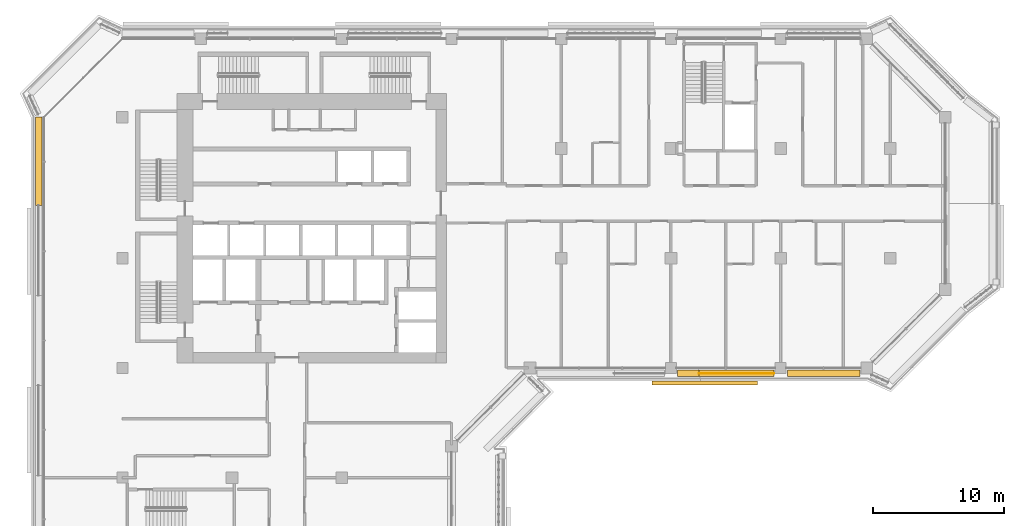
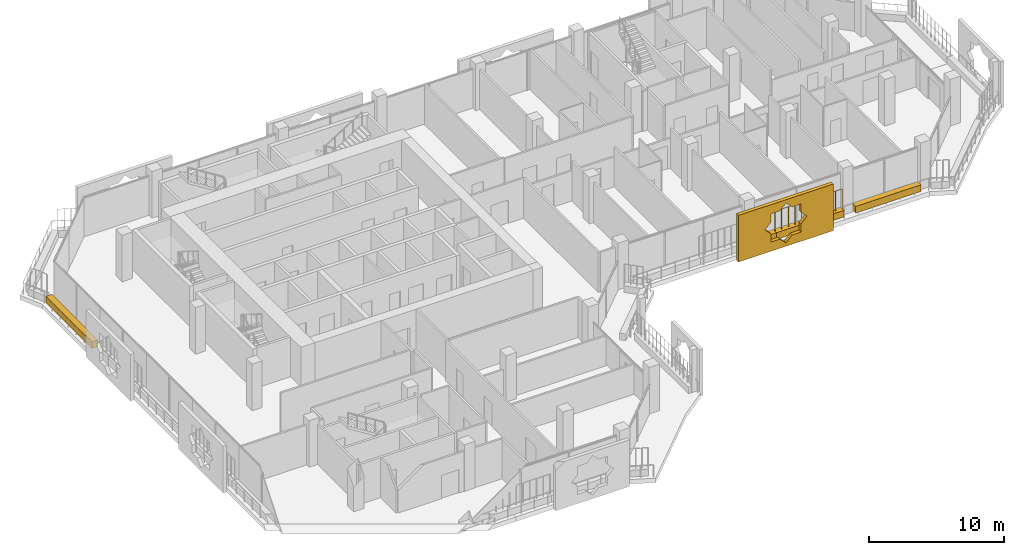
# One storey, part 18 of 21: 5 coverings, 1 railing.
"""IFC4 building model written with IfcOpenShell, lengths in metres."""

from ifc_helpers import new_model, si_unit, direction, frame, origin, origin_2d, place, context, subcontext, project, spatial, polyline, rectangle, circle, outline, extrude, material, material_profile, profile_set, type_object, element, save


model = new_model("IFC4")

# Units and contexts
model_context = context("Model", 3, precision=1e-05, world=origin(), true_north=direction((0.0, 1.0)))
body_context = subcontext(model_context, "Body", "Model", "MODEL_VIEW")
ifc_project = project(units=[si_unit("LENGTHUNIT", "METRE"), si_unit("AREAUNIT", "SQUARE_METRE"), si_unit("VOLUMEUNIT", "CUBIC_METRE"), si_unit("PLANEANGLEUNIT", "RADIAN"), si_unit("MASSUNIT", "GRAM", prefix="KILO")], contexts=[model_context])

# Site, building, storey
site_placement = place(None, origin())
site = spatial("IfcSite", under=ifc_project, at=site_placement, CompositionType="ELEMENT")
building_placement = place(site_placement, origin())
building = spatial("IfcBuilding", under=site, at=building_placement, Name="Kawkab Arch Medical Tower", CompositionType="ELEMENT")
storey_placement = place(building_placement, frame((0.0, 0.0, 264.199951171875)))
storey = spatial("IfcBuildingStorey", under=building, at=storey_placement, Name="L61", CompositionType="ELEMENT", Elevation=264.199951171875)

# Coverings
ifc_material_1 = material(Name="Bronze anodised aluminium mashrabiya panel, eight-point star pattern", Category="aluminium")
ifc_material_profile_1 = material_profile(ifc_material_1, outline(polyline([(-4.050048828125, -2.10009765625), (4.050048828125, -2.10009765625), (4.050048828125, 2.10009765625), (-4.050048828125, 2.10009765625), (-4.050048828125, -2.10009765625)]), holes=[polyline([(1.800048828125, 0.0), (1.272705078125, 0.527099609375), (1.272705078125, 1.272705078125), (0.527099609375, 1.272705078125), (0.0, 1.800048828125), (-0.527099609375, 1.272705078125), (-1.272705078125, 1.272705078125), (-1.272705078125, 0.527099609375), (-1.800048828125, 0.0), (-1.272705078125, -0.527099609375), (-1.272705078125, -1.272705078125), (-0.527099609375, -1.272705078125), (0.0, -1.800048828125), (0.527099609375, -1.272705078125), (1.272705078125, -1.272705078125), (1.272705078125, -0.527099609375), (1.800048828125, 0.0)])]), Name="Mashrabiya panel 8100x4200")
ifc_profile_set_1 = profile_set([ifc_material_profile_1], Name="Bronze anodised aluminium mashrabiya panel, eight-point star pattern")
covering_type_1 = type_object("IfcCoveringType", Name="Mashrabiya panel 8100 x 4200", PredefinedType="USERDEFINED", material=ifc_profile_set_1)
covering_1_placement = place(storey_placement, frame((44.59228515625, -26.199951171875, 1.699951171875), z_axis=(0.0, -1.0, 0.0), x_axis=(1.0, 0.0, 0.0)))
element("IfcCovering", 1, at=covering_1_placement, inside=storey, type_object=covering_type_1, Name="Mashrabiya panel L61.LOG-01-01.10", ObjectType="SCREEN", PredefinedType="USERDEFINED", context=body_context, shape_type="SweptSolid", body=[
    extrude(outline(polyline([(-4.050048828125, -2.10009765625), (4.050048828125, -2.10009765625), (4.050048828125, 2.10009765625), (-4.050048828125, 2.10009765625), (-4.050048828125, -2.10009765625)]), holes=[polyline([(1.800048828125, 0.0), (1.272705078125, 0.527099609375), (1.272705078125, 1.272705078125), (0.527099609375, 1.272705078125), (0.0, 1.800048828125), (-0.527099609375, 1.272705078125), (-1.272705078125, 1.272705078125), (-1.272705078125, 0.527099609375), (-1.800048828125, 0.0), (-1.272705078125, -0.527099609375), (-1.272705078125, -1.272705078125), (-0.527099609375, -1.272705078125), (0.0, -1.800048828125), (0.527099609375, -1.272705078125), (1.272705078125, -1.272705078125), (1.272705078125, -0.527099609375), (1.800048828125, 0.0)])]), origin(), (0.0, 0.0, 1.0), 0.300048828125),
])
ifc_material_2 = material(Name="Planting soil in a precast trough", Category="concrete")
ifc_material_profile_2 = material_profile(ifc_material_2, rectangle(XDim=0.5, YDim=0.60009765625, at=origin_2d()), Name="Trough 500x600")
ifc_profile_set_2 = profile_set([ifc_material_profile_2], Name="Planting soil in a precast trough")
covering_type_2 = type_object("IfcCoveringType", Name="Planter trough 500 x 600", PredefinedType="USERDEFINED", material=ifc_profile_set_2)
covering_2_placement = place(storey_placement, frame((-6.419921875, -12.763916015625, 0.300048828125), z_axis=(0.0, 1.0, 0.0), x_axis=(-1.0, 0.0, 0.0)))
element("IfcCovering", 2, at=covering_2_placement, inside=storey, type_object=covering_type_2, Name="Planter L61.LOG-01-01.12", ObjectType="PLANTER", PredefinedType="USERDEFINED", context=body_context, shape_type="SweptSolid", body=[
    extrude(rectangle(XDim=0.5, YDim=0.60009765625, at=origin_2d()), origin(), (0.0, 0.0, 1.0), 6.789794921875),
])
covering_3_placement = place(storey_placement, frame((56.469970703125, -25.6201171875, 0.300048828125), z_axis=(-1.0, 0.0, 0.0), x_axis=(0.0, -1.0, 0.0)))
element("IfcCovering", 3, at=covering_3_placement, inside=storey, type_object=covering_type_2, Name="Planter L61.LOG-01-01.32", ObjectType="PLANTER", PredefinedType="USERDEFINED", context=body_context, shape_type="SweptSolid", body=[
    extrude(rectangle(XDim=0.5, YDim=0.60009765625, at=origin_2d()), origin(), (0.0, 0.0, 1.0), 5.56494140625),
])
covering_4_placement = place(storey_placement, frame((49.89501953125, -25.6201171875, 0.300048828125), z_axis=(-1.0, 0.0, 0.0), x_axis=(0.0, -1.0, 0.0)))
element("IfcCovering", 4, at=covering_4_placement, inside=storey, type_object=covering_type_2, Name="Planter L61.LOG-01-01.33", ObjectType="PLANTER", PredefinedType="USERDEFINED", context=body_context, shape_type="SweptSolid", body=[
    extrude(rectangle(XDim=0.5, YDim=0.60009765625, at=origin_2d()), origin(), (0.0, 0.0, 1.0), 5.739990234375),
])
covering_5_placement = place(storey_placement, frame((44.155029296875, -25.6201171875, 0.300048828125), z_axis=(-1.0, 0.0, 0.0), x_axis=(0.0, -1.0, 0.0)))
element("IfcCovering", 5, at=covering_5_placement, inside=storey, type_object=covering_type_2, Name="Planter L61.LOG-01-01.34", ObjectType="PLANTER", PredefinedType="USERDEFINED", context=body_context, shape_type="SweptSolid", body=[
    extrude(rectangle(XDim=0.5, YDim=0.60009765625, at=origin_2d()), origin(), (0.0, 0.0, 1.0), 1.650146484375),
])

# Railing
ifc_material_3 = material(Name="Bronze anodised aluminium trellis for climbing plants", Category="aluminium")
railing_type = type_object("IfcRailingType", Name="Planting trellis 2400", PredefinedType="USERDEFINED", material=ifc_material_3)
railing_placement = place(storey_placement, frame((49.89501953125, -25.6201171875, 0.0)))
element("IfcRailing", 6, at=railing_placement, inside=storey, type_object=railing_type, Name="Planting trellis L61.LOG-01-01.33", ObjectType="TRELLIS", PredefinedType="USERDEFINED", context=body_context, shape_type="SweptSolid", body=[
    extrude(circle(Radius=0.01513671875, at=origin_2d()), frame((0.0, 0.0, 2.384765625), z_axis=(-1.0, 0.0, 0.0), x_axis=(0.0, -1.0, 0.0)), (0.0, 0.0, 1.0), 5.739990234375),
    extrude(circle(Radius=0.030029296875, at=origin_2d()), origin(), (0.0, 0.0, 1.0), 2.369873046875),
    extrude(circle(Radius=0.030029296875, at=origin_2d()), frame((-0.573974609375, 0.0, 0.0)), (0.0, 0.0, 1.0), 2.369873046875),
    extrude(circle(Radius=0.030029296875, at=origin_2d()), frame((-1.14794921875, 0.0, 0.0)), (0.0, 0.0, 1.0), 2.369873046875),
    extrude(circle(Radius=0.030029296875, at=origin_2d()), frame((-1.721923828125, 0.0, 0.0)), (0.0, 0.0, 1.0), 2.369873046875),
    extrude(circle(Radius=0.030029296875, at=origin_2d()), frame((-2.2958984375, 0.0, 0.0)), (0.0, 0.0, 1.0), 2.369873046875),
    extrude(circle(Radius=0.030029296875, at=origin_2d()), frame((-2.8701171875, 0.0, 0.0)), (0.0, 0.0, 1.0), 2.369873046875),
    extrude(circle(Radius=0.030029296875, at=origin_2d()), frame((-3.444091796875, 0.0, 0.0)), (0.0, 0.0, 1.0), 2.369873046875),
    extrude(circle(Radius=0.030029296875, at=origin_2d()), frame((-4.01806640625, 0.0, 0.0)), (0.0, 0.0, 1.0), 2.369873046875),
    extrude(circle(Radius=0.030029296875, at=origin_2d()), frame((-4.592041015625, 0.0, 0.0)), (0.0, 0.0, 1.0), 2.369873046875),
    extrude(circle(Radius=0.030029296875, at=origin_2d()), frame((-5.166015625, 0.0, 0.0)), (0.0, 0.0, 1.0), 2.369873046875),
    extrude(circle(Radius=0.030029296875, at=origin_2d()), frame((-5.739990234375, 0.0, 0.0)), (0.0, 0.0, 1.0), 2.369873046875),
])

save(model, "model.ifc")
